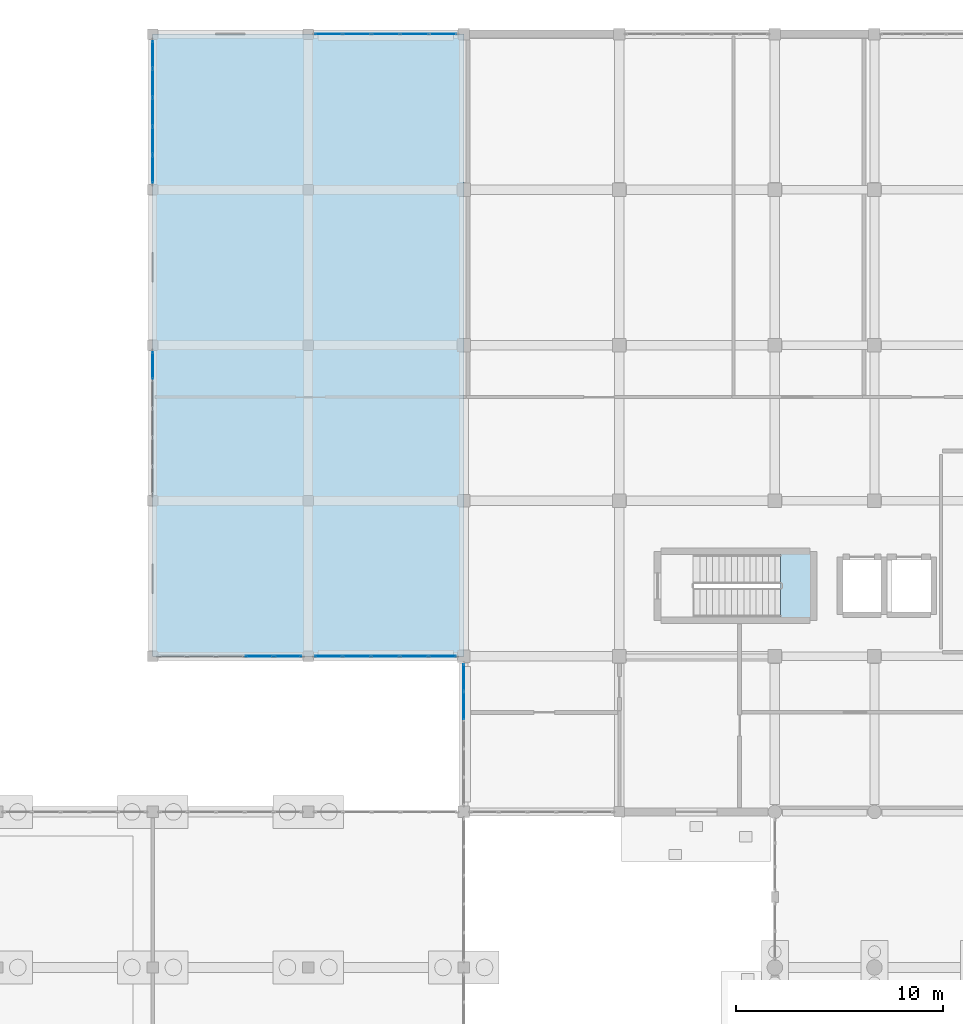
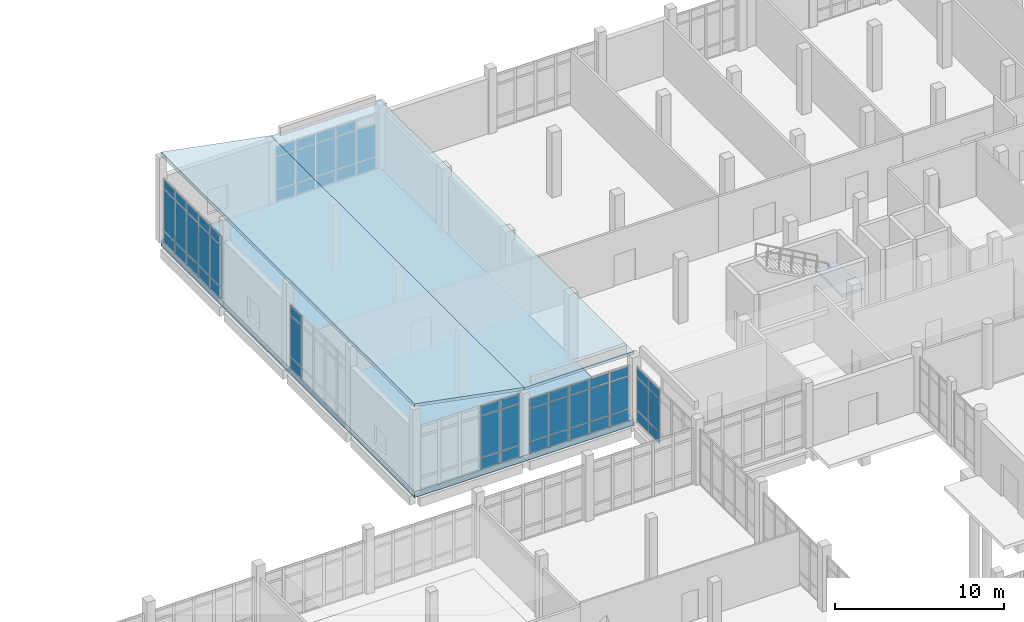
# One storey, part 136 of 173: 59 plates, 4 slabs, 7 elements without a shape of their own.
"""IFC4 building model written with IfcOpenShell, lengths in metres."""

import ifcopenshell
import ifcopenshell.guid

model = None  # the IFC model being written
_history = None  # IfcOwnerHistory: only IFC2X3 demands one
_inside = {}  # id of a spatial element -> (the spatial element, [elements in it])
_under = {}  # id of a project, library or spatial element -> (it, [spatial elements below it])
_declared = {}  # id of a project -> (the project, [libraries it declares])
_typed = {}  # id of a type object -> (the type object, [elements of that type])
_made_of = {}  # id of a material, layer set ... -> (it, [elements and type objects made of it])


def new_model(schema):
    """Start an empty IFC model of exactly this schema.

    Asked for "IFC4X3", IfcOpenShell would pick the latest addendum, in which some entities
    have other attributes; the version numbers below select the first issue.
    IFC2X3 requires an IfcOwnerHistory on every rooted entity: one is made here for all.
    """
    global model, _history
    if schema == "IFC4X3":
        model = ifcopenshell.file(schema_version=(4, 3, 0, 0))
    else:
        model = ifcopenshell.file(schema=schema)
    _inside.clear()
    _under.clear()
    _declared.clear()
    _typed.clear()
    _made_of.clear()
    _history = None
    if model.schema == "IFC2X3":
        org = make("IfcOrganization", Name="unknown")
        user = make(
            "IfcPersonAndOrganization",
            ThePerson=make("IfcPerson", FamilyName="unknown"),
            TheOrganization=org,
        )
        app = make(
            "IfcApplication",
            ApplicationDeveloper=org,
            Version="unknown",
            ApplicationFullName="unknown",
            ApplicationIdentifier="unknown",
        )
        _history = make(
            "IfcOwnerHistory",
            OwningUser=user,
            OwningApplication=app,
            ChangeAction="ADDED",
            CreationDate=0,
        )
    return model


def make(cls, **values):
    """One entity of the class cls with the attributes given. An attribute that is None is left unset."""
    return model.create_entity(
        cls, **{name: value for name, value in values.items() if value is not None}
    )


def rooted(cls, **values):
    """An entity with a GlobalId (a new one), such as an element, a storey or a relation."""
    return make(cls, GlobalId=ifcopenshell.guid.new(), OwnerHistory=_history, **values)


def si_unit(unit_type, name, prefix=None):
    """IfcSIUnit, for example si_unit("LENGTHUNIT", "METRE", prefix="MILLI")."""
    return make("IfcSIUnit", UnitType=unit_type, Prefix=prefix, Name=name)


def assignment(units):
    """IfcUnitAssignment: the units of a project."""
    return None if units is None else make("IfcUnitAssignment", Units=units)


def point(xyz):
    """IfcCartesianPoint."""
    return None if xyz is None else make("IfcCartesianPoint", Coordinates=xyz)


def direction(xyz):
    """IfcDirection."""
    return None if xyz is None else make("IfcDirection", DirectionRatios=xyz)


def frame(location, z_axis=None, x_axis=None):
    """IfcAxis2Placement3D, a coordinate frame: its origin and axes. An axis left out is left unset."""
    return make(
        "IfcAxis2Placement3D",
        Location=point(location),
        Axis=direction(z_axis),
        RefDirection=direction(x_axis),
    )


def frame_2d(location, x_axis=None):
    """IfcAxis2Placement2D, a coordinate frame in the plane: its origin and x axis."""
    return make(
        "IfcAxis2Placement2D", Location=point(location), RefDirection=direction(x_axis)
    )


def origin():
    """The frame at (0, 0, 0) with its axes left unset."""
    return frame((0.0, 0.0, 0.0))


def origin_2d():
    """The frame at (0, 0) in the plane with its x axis left unset."""
    return frame_2d((0.0, 0.0))


def place(relative_to, where):
    """IfcLocalPlacement: puts the frame where relative to a parent placement (None: the world)."""
    return make(
        "IfcLocalPlacement", PlacementRelTo=relative_to, RelativePlacement=where
    )


def context(
    kind, dimensions, precision=None, world=None, true_north=None, identifier=None
):
    """IfcGeometricRepresentationContext, for example the 3D "Model" context."""
    return make(
        "IfcGeometricRepresentationContext",
        ContextIdentifier=identifier,
        ContextType=kind,
        CoordinateSpaceDimension=dimensions,
        Precision=precision,
        WorldCoordinateSystem=world,
        TrueNorth=true_north,
    )


def subcontext(parent, identifier, kind, view, scale=None):
    """IfcGeometricRepresentationSubContext, for example "Body" below "Model"."""
    return make(
        "IfcGeometricRepresentationSubContext",
        ContextIdentifier=identifier,
        ContextType=kind,
        ParentContext=parent,
        TargetScale=scale,
        TargetView=view,
    )


def project(units=None, contexts=None):
    """IfcProject with its units and contexts."""
    return rooted(
        "IfcProject",
        Name="project",
        RepresentationContexts=contexts,
        UnitsInContext=assignment(units),
    )


def spatial(cls, under=None, at=None, **own):
    """A site, building, storey or space (cls), placed at a placement, below another one or the project."""
    s = rooted(cls, ObjectPlacement=at, **own)
    if under is not None:
        _under.setdefault(under.id(), (under, []))[1].append(s)
    return s


def polyline(points):
    """IfcPolyline through the points."""
    return make("IfcPolyline", Points=[point(p) for p in points])


def profile(cls, at=None, kind="AREA", **sizes):
    """A parametric profile (cls). Its sizes go by their IFC names, for example OverallWidth=200.0."""
    return make(cls, ProfileType=kind, Position=at, **sizes)


def rectangle(**sizes):
    """IfcRectangleProfileDef."""
    return profile("IfcRectangleProfileDef", **sizes)


def outline(outer, holes=None, kind="AREA"):
    """IfcArbitraryClosedProfileDef: a profile drawn as a closed curve; with holes, ...WithVoids."""
    if holes is None:
        return make("IfcArbitraryClosedProfileDef", ProfileType=kind, OuterCurve=outer)
    return make(
        "IfcArbitraryProfileDefWithVoids",
        ProfileType=kind,
        OuterCurve=outer,
        InnerCurves=holes,
    )


def extrude(swept, where, along, depth):
    """IfcExtrudedAreaSolid: the profile swept, set in the frame where, extruded along a direction by depth."""
    return make(
        "IfcExtrudedAreaSolid",
        SweptArea=swept,
        Position=where,
        ExtrudedDirection=direction(along),
        Depth=depth,
    )


def shape(context_of_items, identifier, shape_type, items):
    """IfcShapeRepresentation: the items that make up one representation, for example the "Body"."""
    return make(
        "IfcShapeRepresentation",
        ContextOfItems=context_of_items,
        RepresentationIdentifier=identifier,
        RepresentationType=shape_type,
        Items=items,
    )


def material(Name=None, Category=None):
    """IfcMaterial."""
    return make("IfcMaterial", Name=Name, Category=Category)


def layer(
    of_material, thickness, ventilated=None, Name=None, Category=None, Priority=None
):
    """IfcMaterialLayer: one layer of a wall or slab, of a material (None: an air gap)."""
    return make(
        "IfcMaterialLayer",
        Material=of_material,
        LayerThickness=thickness,
        IsVentilated=ventilated,
        Name=Name,
        Category=Category,
        Priority=Priority,
    )


def layer_set(layers, Name=None):
    """IfcMaterialLayerSet."""
    return make("IfcMaterialLayerSet", MaterialLayers=layers, LayerSetName=Name)


def made_of(thing, what):
    """Note that an element or type object is made of a material, layer set ...; save() writes the relation."""
    if what is not None:
        _made_of.setdefault(what.id(), (what, []))[1].append(thing)
    return thing


def type_object(cls, material=None, **own):
    """A type object (cls), such as IfcWallType, which elements share."""
    return made_of(rooted(cls, **own), material)


def element(
    cls,
    number,
    at=None,
    inside=None,
    cuts=None,
    type_object=None,
    material=None,
    context=None,
    identifier="Body",
    shape_type=None,
    held_by="IfcProductDefinitionShape",
    body=None,
    shapes=None,
    **own,
):
    """One element of the class cls, such as IfcWall. Its Tag is "e" and its number.

    at: its placement. inside: the storey or other place that contains it. cuts: it is an
    opening in that element (IfcRelVoidsElement). A single representation is given by context,
    identifier, shape_type and body (its items); several are given by shapes. held_by: the class
    of the entity that holds the representations. save() writes the other relations.
    """
    e = rooted(cls, Tag="e%d" % number, ObjectPlacement=at, **own)
    if body is not None:
        shapes = [shape(context, identifier, shape_type, body)]
    if shapes is not None:
        e.Representation = make(held_by, Representations=shapes)
    if inside is not None:
        _inside.setdefault(inside.id(), (inside, []))[1].append(e)
    if cuts is not None:
        rooted(
            "IfcRelVoidsElement", RelatingBuildingElement=cuts, RelatedOpeningElement=e
        )
    if type_object is not None:
        _typed.setdefault(type_object.id(), (type_object, []))[1].append(e)
    return made_of(e, material)


def aggregate(whole, parts):
    """IfcRelAggregates: a whole, such as a stair, and the parts it consists of."""
    return rooted("IfcRelAggregates", RelatingObject=whole, RelatedObjects=parts)


def save(model, path):
    """Write the relations noted so far, then the file.

    IfcRelAggregates (storeys below a building ...), IfcRelContainedInSpatialStructure (elements
    in a storey), IfcRelDefinesByType, IfcRelAssociatesMaterial and IfcRelDeclares: one each for
    every whole, place, type object, material and project.
    """
    for whole, parts in _under.values():
        aggregate(whole, parts)
    for where, things in _inside.values():
        rooted(
            "IfcRelContainedInSpatialStructure",
            RelatedElements=things,
            RelatingStructure=where,
        )
    for kind, things in _typed.values():
        rooted("IfcRelDefinesByType", RelatedObjects=things, RelatingType=kind)
    for what, things in _made_of.values():
        rooted("IfcRelAssociatesMaterial", RelatedObjects=things, RelatingMaterial=what)
    for by, libraries in _declared.values():
        rooted("IfcRelDeclares", RelatingContext=by, RelatedDefinitions=libraries)
    model.write(path)


model = new_model("IFC4")

# Units and contexts
model_context = context("Model", 3, precision=1e-05, world=origin(), true_north=direction((0.0, 1.0)))
body_context = subcontext(model_context, "Body", "Model", "MODEL_VIEW")
ifc_project = project(units=[si_unit("LENGTHUNIT", "METRE"), si_unit("AREAUNIT", "SQUARE_METRE"), si_unit("VOLUMEUNIT", "CUBIC_METRE"), si_unit("PLANEANGLEUNIT", "RADIAN"), si_unit("MASSUNIT", "GRAM", prefix="KILO")], contexts=[model_context])

# Site, building, storey
site_placement = place(None, origin())
site = spatial("IfcSite", under=ifc_project, at=site_placement, CompositionType="ELEMENT")
building_placement = place(site_placement, origin())
building = spatial("IfcBuilding", under=site, at=building_placement, Name="Mawjan Specialist Oncology Clinic", CompositionType="ELEMENT")
storey_placement = place(building_placement, origin())
storey = spatial("IfcBuildingStorey", under=building, at=storey_placement, Name="L00", CompositionType="ELEMENT", Elevation=0.0)

# Curtain wall, plates
ifc_material_1 = material(Name="Unitised spectrally selective aluminium curtain wall", Category="aluminium")
ifc_layer_1 = layer(ifc_material_1, 0.179931640625, Name="Unitised spectrally selective aluminium curtain wall", Category="aluminium")
ifc_layer_set_1 = layer_set([ifc_layer_1], Name="Unitised spectrally selective aluminium curtain wall")
curtain_wall_type_1 = type_object("IfcCurtainWallType", Name="CW-10", PredefinedType="NOTDEFINED", material=ifc_layer_set_1)
curtain_wall_1_placement = place(storey_placement, origin())
curtain_wall_1 = element("IfcCurtainWall", 1, at=curtain_wall_1_placement, inside=storey, type_object=curtain_wall_type_1, Name="L00 Unitised Curtain Wall CW-L00-015", PredefinedType="NOTDEFINED")
ifc_material_2 = material(Name="Spectrally selective double low-E glazing", Category="glass")
ifc_layer_2 = layer(ifc_material_2, 0.035888671875, Name="Spectrally selective double low-E glazing", Category="glass")
ifc_layer_set_2 = layer_set([ifc_layer_2], Name="Spectrally selective double low-E glazing")
plate_type = type_object("IfcPlateType", Name="CW-P36", PredefinedType="CURTAIN_PANEL", material=ifc_layer_set_2)
plate_1_placement = place(storey_placement, frame((45.0, 80.91455078125, 0.06494140625), z_axis=(0.0, 0.0, 1.0), x_axis=(0.0, 1.0, 0.0)))
plate_1 = element("IfcPlate", 2, at=plate_1_placement, type_object=plate_type, Name="CW-10 panel 4.1", PredefinedType="CURTAIN_PANEL", context=body_context, shape_type="SweptSolid", body=[
    extrude(rectangle(XDim=1.31201171875, YDim=0.035888671875, at=origin_2d()), origin(), (0.0, 0.0, 1.0), 0.802490234375),
])
plate_2_placement = place(storey_placement, frame((45.0, 80.91455078125, 0.9326171875), z_axis=(0.0, 0.0, 1.0), x_axis=(0.0, 1.0, 0.0)))
plate_2 = element("IfcPlate", 3, at=plate_2_placement, type_object=plate_type, Name="CW-10 panel 4.2", PredefinedType="CURTAIN_PANEL", context=body_context, shape_type="SweptSolid", body=[
    extrude(rectangle(XDim=1.31201171875, YDim=0.035888671875, at=origin_2d()), origin(), (0.0, 0.0, 1.0), 2.320068359375),
])
plate_3_placement = place(storey_placement, frame((45.0, 80.91455078125, 3.3173828125), z_axis=(0.0, 0.0, 1.0), x_axis=(0.0, 1.0, 0.0)))
plate_3 = element("IfcPlate", 4, at=plate_3_placement, type_object=plate_type, Name="CW-10 panel 4.3", PredefinedType="CURTAIN_PANEL", context=body_context, shape_type="SweptSolid", body=[
    extrude(rectangle(XDim=1.31201171875, YDim=0.035888671875, at=origin_2d()), origin(), (0.0, 0.0, 1.0), 0.652587890625),
])
plate_4_placement = place(storey_placement, frame((45.0, 82.275146484375, 0.06494140625), z_axis=(0.0, 0.0, 1.0), x_axis=(0.0, 1.0, 0.0)))
plate_4 = element("IfcPlate", 5, at=plate_4_placement, type_object=plate_type, Name="CW-10 panel 5.1", PredefinedType="CURTAIN_PANEL", context=body_context, shape_type="SweptSolid", body=[
    extrude(rectangle(XDim=1.279541015625, YDim=0.035888671875, at=origin_2d()), origin(), (0.0, 0.0, 1.0), 0.802490234375),
])
plate_5_placement = place(storey_placement, frame((45.0, 82.275146484375, 0.9326171875), z_axis=(0.0, 0.0, 1.0), x_axis=(0.0, 1.0, 0.0)))
plate_5 = element("IfcPlate", 6, at=plate_5_placement, type_object=plate_type, Name="CW-10 panel 5.2", PredefinedType="CURTAIN_PANEL", context=body_context, shape_type="SweptSolid", body=[
    extrude(rectangle(XDim=1.279541015625, YDim=0.035888671875, at=origin_2d()), origin(), (0.0, 0.0, 1.0), 2.320068359375),
])
plate_6_placement = place(storey_placement, frame((45.0, 82.275146484375, 3.3173828125), z_axis=(0.0, 0.0, 1.0), x_axis=(0.0, 1.0, 0.0)))
plate_6 = element("IfcPlate", 7, at=plate_6_placement, type_object=plate_type, Name="CW-10 panel 5.3", PredefinedType="CURTAIN_PANEL", context=body_context, shape_type="SweptSolid", body=[
    extrude(rectangle(XDim=1.279541015625, YDim=0.035888671875, at=origin_2d()), origin(), (0.0, 0.0, 1.0), 0.652587890625),
])
aggregate(curtain_wall_1, [plate_1, plate_2, plate_3, plate_4, plate_5, plate_6])

ifc_material_3 = material(Name="Unitised spectrally selective aluminium curtain wall", Category="aluminium")
ifc_layer_3 = layer(ifc_material_3, 0.179931640625, Name="Unitised spectrally selective aluminium curtain wall", Category="aluminium")
ifc_layer_set_3 = layer_set([ifc_layer_3], Name="Unitised spectrally selective aluminium curtain wall")
curtain_wall_type_2 = type_object("IfcCurtainWallType", Name="CW-09", PredefinedType="NOTDEFINED", material=ifc_layer_set_3)
curtain_wall_2_placement = place(storey_placement, origin())
curtain_wall_2 = element("IfcCurtainWall", 8, at=curtain_wall_2_placement, inside=storey, type_object=curtain_wall_type_2, Name="L00 Unitised Curtain Wall CW-L00-016", PredefinedType="NOTDEFINED")
plate_7_placement = place(storey_placement, frame((43.97265625, 83.300048828125, 0.06494140625), z_axis=(0.0, 0.0, 1.0), x_axis=(-1.0, 0.0, 0.0)))
plate_7 = element("IfcPlate", 9, at=plate_7_placement, type_object=plate_type, Name="CW-09 panel 1.1", PredefinedType="CURTAIN_PANEL", context=body_context, shape_type="SweptSolid", body=[
    extrude(rectangle(XDim=1.284423828125, YDim=0.035888671875, at=origin_2d()), origin(), (0.0, 0.0, 1.0), 0.802490234375),
])
plate_8_placement = place(storey_placement, frame((43.97265625, 83.300048828125, 0.9326171875), z_axis=(0.0, 0.0, 1.0), x_axis=(-1.0, 0.0, 0.0)))
plate_8 = element("IfcPlate", 10, at=plate_8_placement, type_object=plate_type, Name="CW-09 panel 1.2", PredefinedType="CURTAIN_PANEL", context=body_context, shape_type="SweptSolid", body=[
    extrude(rectangle(XDim=1.284423828125, YDim=0.035888671875, at=origin_2d()), origin(), (0.0, 0.0, 1.0), 2.320068359375),
])
plate_9_placement = place(storey_placement, frame((43.97265625, 83.300048828125, 3.3173828125), z_axis=(0.0, 0.0, 1.0), x_axis=(-1.0, 0.0, 0.0)))
plate_9 = element("IfcPlate", 11, at=plate_9_placement, type_object=plate_type, Name="CW-09 panel 1.3", PredefinedType="CURTAIN_PANEL", context=body_context, shape_type="SweptSolid", body=[
    extrude(rectangle(XDim=1.284423828125, YDim=0.035888671875, at=origin_2d()), origin(), (0.0, 0.0, 1.0), 0.652587890625),
])
plate_10_placement = place(storey_placement, frame((42.60693359375, 83.300048828125, 0.06494140625), z_axis=(0.0, 0.0, 1.0), x_axis=(-1.0, 0.0, 0.0)))
plate_10 = element("IfcPlate", 12, at=plate_10_placement, type_object=plate_type, Name="CW-09 panel 2.1", PredefinedType="CURTAIN_PANEL", context=body_context, shape_type="SweptSolid", body=[
    extrude(rectangle(XDim=1.31689453125, YDim=0.035888671875, at=origin_2d()), origin(), (0.0, 0.0, 1.0), 0.802490234375),
])
plate_11_placement = place(storey_placement, frame((42.60693359375, 83.300048828125, 0.9326171875), z_axis=(0.0, 0.0, 1.0), x_axis=(-1.0, 0.0, 0.0)))
plate_11 = element("IfcPlate", 13, at=plate_11_placement, type_object=plate_type, Name="CW-09 panel 2.2", PredefinedType="CURTAIN_PANEL", context=body_context, shape_type="SweptSolid", body=[
    extrude(rectangle(XDim=1.31689453125, YDim=0.035888671875, at=origin_2d()), origin(), (0.0, 0.0, 1.0), 2.320068359375),
])
plate_12_placement = place(storey_placement, frame((42.60693359375, 83.300048828125, 3.3173828125), z_axis=(0.0, 0.0, 1.0), x_axis=(-1.0, 0.0, 0.0)))
plate_12 = element("IfcPlate", 14, at=plate_12_placement, type_object=plate_type, Name="CW-09 panel 2.3", PredefinedType="CURTAIN_PANEL", context=body_context, shape_type="SweptSolid", body=[
    extrude(rectangle(XDim=1.31689453125, YDim=0.035888671875, at=origin_2d()), origin(), (0.0, 0.0, 1.0), 0.652587890625),
])
plate_13_placement = place(storey_placement, frame((41.22509765625, 83.300048828125, 0.06494140625), z_axis=(0.0, 0.0, 1.0), x_axis=(-1.0, 0.0, 0.0)))
plate_13 = element("IfcPlate", 15, at=plate_13_placement, type_object=plate_type, Name="CW-09 panel 3.1", PredefinedType="CURTAIN_PANEL", context=body_context, shape_type="SweptSolid", body=[
    extrude(rectangle(XDim=1.31689453125, YDim=0.035888671875, at=origin_2d()), origin(), (0.0, 0.0, 1.0), 0.802490234375),
])
plate_14_placement = place(storey_placement, frame((41.22509765625, 83.300048828125, 0.9326171875), z_axis=(0.0, 0.0, 1.0), x_axis=(-1.0, 0.0, 0.0)))
plate_14 = element("IfcPlate", 16, at=plate_14_placement, type_object=plate_type, Name="CW-09 panel 3.2", PredefinedType="CURTAIN_PANEL", context=body_context, shape_type="SweptSolid", body=[
    extrude(rectangle(XDim=1.31689453125, YDim=0.035888671875, at=origin_2d()), origin(), (0.0, 0.0, 1.0), 2.320068359375),
])
plate_15_placement = place(storey_placement, frame((41.22509765625, 83.300048828125, 3.3173828125), z_axis=(0.0, 0.0, 1.0), x_axis=(-1.0, 0.0, 0.0)))
plate_15 = element("IfcPlate", 17, at=plate_15_placement, type_object=plate_type, Name="CW-09 panel 3.3", PredefinedType="CURTAIN_PANEL", context=body_context, shape_type="SweptSolid", body=[
    extrude(rectangle(XDim=1.31689453125, YDim=0.035888671875, at=origin_2d()), origin(), (0.0, 0.0, 1.0), 0.652587890625),
])
plate_16_placement = place(storey_placement, frame((39.843017578125, 83.300048828125, 0.06494140625), z_axis=(0.0, 0.0, 1.0), x_axis=(-1.0, 0.0, 0.0)))
plate_16 = element("IfcPlate", 18, at=plate_16_placement, type_object=plate_type, Name="CW-09 panel 4.1", PredefinedType="CURTAIN_PANEL", context=body_context, shape_type="SweptSolid", body=[
    extrude(rectangle(XDim=1.31689453125, YDim=0.035888671875, at=origin_2d()), origin(), (0.0, 0.0, 1.0), 0.802490234375),
])
plate_17_placement = place(storey_placement, frame((39.843017578125, 83.300048828125, 0.9326171875), z_axis=(0.0, 0.0, 1.0), x_axis=(-1.0, 0.0, 0.0)))
plate_17 = element("IfcPlate", 19, at=plate_17_placement, type_object=plate_type, Name="CW-09 panel 4.2", PredefinedType="CURTAIN_PANEL", context=body_context, shape_type="SweptSolid", body=[
    extrude(rectangle(XDim=1.31689453125, YDim=0.035888671875, at=origin_2d()), origin(), (0.0, 0.0, 1.0), 2.320068359375),
])
plate_18_placement = place(storey_placement, frame((39.843017578125, 83.300048828125, 3.3173828125), z_axis=(0.0, 0.0, 1.0), x_axis=(-1.0, 0.0, 0.0)))
plate_18 = element("IfcPlate", 20, at=plate_18_placement, type_object=plate_type, Name="CW-09 panel 4.3", PredefinedType="CURTAIN_PANEL", context=body_context, shape_type="SweptSolid", body=[
    extrude(rectangle(XDim=1.31689453125, YDim=0.035888671875, at=origin_2d()), origin(), (0.0, 0.0, 1.0), 0.652587890625),
])
plate_19_placement = place(storey_placement, frame((38.477294921875, 83.300048828125, 0.06494140625), z_axis=(0.0, 0.0, 1.0), x_axis=(-1.0, 0.0, 0.0)))
plate_19 = element("IfcPlate", 21, at=plate_19_placement, type_object=plate_type, Name="CW-09 panel 5.1", PredefinedType="CURTAIN_PANEL", context=body_context, shape_type="SweptSolid", body=[
    extrude(rectangle(XDim=1.284423828125, YDim=0.035888671875, at=origin_2d()), origin(), (0.0, 0.0, 1.0), 0.802490234375),
])
plate_20_placement = place(storey_placement, frame((38.477294921875, 83.300048828125, 0.9326171875), z_axis=(0.0, 0.0, 1.0), x_axis=(-1.0, 0.0, 0.0)))
plate_20 = element("IfcPlate", 22, at=plate_20_placement, type_object=plate_type, Name="CW-09 panel 5.2", PredefinedType="CURTAIN_PANEL", context=body_context, shape_type="SweptSolid", body=[
    extrude(rectangle(XDim=1.284423828125, YDim=0.035888671875, at=origin_2d()), origin(), (0.0, 0.0, 1.0), 2.320068359375),
])
plate_21_placement = place(storey_placement, frame((38.477294921875, 83.300048828125, 3.3173828125), z_axis=(0.0, 0.0, 1.0), x_axis=(-1.0, 0.0, 0.0)))
plate_21 = element("IfcPlate", 23, at=plate_21_placement, type_object=plate_type, Name="CW-09 panel 5.3", PredefinedType="CURTAIN_PANEL", context=body_context, shape_type="SweptSolid", body=[
    extrude(rectangle(XDim=1.284423828125, YDim=0.035888671875, at=origin_2d()), origin(), (0.0, 0.0, 1.0), 0.652587890625),
])
aggregate(curtain_wall_2, [plate_7, plate_8, plate_9, plate_10, plate_11, plate_12, plate_13, plate_14, plate_15, plate_16, plate_17, plate_18, plate_19, plate_20, plate_21])

ifc_material_4 = material(Name="Unitised spectrally selective aluminium curtain wall", Category="aluminium")
ifc_layer_4 = layer(ifc_material_4, 0.179931640625, Name="Unitised spectrally selective aluminium curtain wall", Category="aluminium")
ifc_layer_set_4 = layer_set([ifc_layer_4], Name="Unitised spectrally selective aluminium curtain wall")
curtain_wall_type_3 = type_object("IfcCurtainWallType", Name="CW-11", PredefinedType="NOTDEFINED", material=ifc_layer_set_4)
curtain_wall_3_placement = place(storey_placement, origin())
curtain_wall_3 = element("IfcCurtainWall", 24, at=curtain_wall_3_placement, inside=storey, type_object=curtain_wall_type_3, Name="L00 Unitised Curtain Wall CW-L00-017", PredefinedType="NOTDEFINED")
plate_22_placement = place(storey_placement, frame((36.5166015625, 83.300048828125, 0.070068359375), z_axis=(0.0, 0.0, 1.0), x_axis=(-1.0, 0.0, 0.0)))
plate_22 = element("IfcPlate", 25, at=plate_22_placement, type_object=plate_type, Name="CW-11 panel 1.1", PredefinedType="CURTAIN_PANEL", context=body_context, shape_type="SweptSolid", body=[
    extrude(rectangle(XDim=1.287109375, YDim=0.035888671875, at=origin_2d()), origin(), (0.0, 0.0, 1.0), 0.794921875),
])
plate_23_placement = place(storey_placement, frame((36.5166015625, 83.300048828125, 0.93505859375), z_axis=(0.0, 0.0, 1.0), x_axis=(-1.0, 0.0, 0.0)))
plate_23 = element("IfcPlate", 26, at=plate_23_placement, type_object=plate_type, Name="CW-11 panel 1.2", PredefinedType="CURTAIN_PANEL", context=body_context, shape_type="SweptSolid", body=[
    extrude(rectangle(XDim=1.287109375, YDim=0.035888671875, at=origin_2d()), origin(), (0.0, 0.0, 1.0), 2.949951171875),
])
plate_24_placement = place(storey_placement, frame((36.5166015625, 83.300048828125, 3.955078125), z_axis=(0.0, 0.0, 1.0), x_axis=(-1.0, 0.0, 0.0)))
plate_24 = element("IfcPlate", 27, at=plate_24_placement, type_object=plate_type, Name="CW-11 panel 1.3", PredefinedType="CURTAIN_PANEL", context=body_context, shape_type="SweptSolid", body=[
    extrude(rectangle(XDim=1.287109375, YDim=0.035888671875, at=origin_2d()), origin(), (0.0, 0.0, 1.0), 0.64501953125),
])
plate_25_placement = place(storey_placement, frame((35.14208984375, 83.300048828125, 0.070068359375), z_axis=(0.0, 0.0, 1.0), x_axis=(-1.0, 0.0, 0.0)))
plate_25 = element("IfcPlate", 28, at=plate_25_placement, type_object=plate_type, Name="CW-11 panel 2.1", PredefinedType="CURTAIN_PANEL", context=body_context, shape_type="SweptSolid", body=[
    extrude(rectangle(XDim=1.322021484375, YDim=0.035888671875, at=origin_2d()), origin(), (0.0, 0.0, 1.0), 0.794921875),
])
plate_26_placement = place(storey_placement, frame((35.14208984375, 83.300048828125, 0.93505859375), z_axis=(0.0, 0.0, 1.0), x_axis=(-1.0, 0.0, 0.0)))
plate_26 = element("IfcPlate", 29, at=plate_26_placement, type_object=plate_type, Name="CW-11 panel 2.2", PredefinedType="CURTAIN_PANEL", context=body_context, shape_type="SweptSolid", body=[
    extrude(rectangle(XDim=1.322021484375, YDim=0.035888671875, at=origin_2d()), origin(), (0.0, 0.0, 1.0), 2.949951171875),
])
plate_27_placement = place(storey_placement, frame((35.14208984375, 83.300048828125, 3.955078125), z_axis=(0.0, 0.0, 1.0), x_axis=(-1.0, 0.0, 0.0)))
plate_27 = element("IfcPlate", 30, at=plate_27_placement, type_object=plate_type, Name="CW-11 panel 2.3", PredefinedType="CURTAIN_PANEL", context=body_context, shape_type="SweptSolid", body=[
    extrude(rectangle(XDim=1.322021484375, YDim=0.035888671875, at=origin_2d()), origin(), (0.0, 0.0, 1.0), 0.64501953125),
])
aggregate(curtain_wall_3, [plate_22, plate_23, plate_24, plate_25, plate_26, plate_27])

curtain_wall_4_placement = place(storey_placement, origin())
curtain_wall_4 = element("IfcCurtainWall", 31, at=curtain_wall_4_placement, inside=storey, type_object=curtain_wall_type_3, Name="L00 Unitised Curtain Wall CW-L00-018", PredefinedType="NOTDEFINED")
plate_28_placement = place(storey_placement, frame((30.0, 97.31640625, 0.070068359375), z_axis=(0.0, 0.0, 1.0), x_axis=(0.0, 1.0, 0.0)))
plate_28 = element("IfcPlate", 32, at=plate_28_placement, type_object=plate_type, Name="CW-11 panel 5.1", PredefinedType="CURTAIN_PANEL", context=body_context, shape_type="SweptSolid", body=[
    extrude(rectangle(XDim=1.287109375, YDim=0.035888671875, at=origin_2d()), origin(), (0.0, 0.0, 1.0), 0.794921875),
])
plate_29_placement = place(storey_placement, frame((30.0, 97.31640625, 0.93505859375), z_axis=(0.0, 0.0, 1.0), x_axis=(0.0, 1.0, 0.0)))
plate_29 = element("IfcPlate", 33, at=plate_29_placement, type_object=plate_type, Name="CW-11 panel 5.2", PredefinedType="CURTAIN_PANEL", context=body_context, shape_type="SweptSolid", body=[
    extrude(rectangle(XDim=1.287109375, YDim=0.035888671875, at=origin_2d()), origin(), (0.0, 0.0, 1.0), 2.949951171875),
])
plate_30_placement = place(storey_placement, frame((30.0, 97.31640625, 3.955078125), z_axis=(0.0, 0.0, 1.0), x_axis=(0.0, 1.0, 0.0)))
plate_30 = element("IfcPlate", 34, at=plate_30_placement, type_object=plate_type, Name="CW-11 panel 5.3", PredefinedType="CURTAIN_PANEL", context=body_context, shape_type="SweptSolid", body=[
    extrude(rectangle(XDim=1.287109375, YDim=0.035888671875, at=origin_2d()), origin(), (0.0, 0.0, 1.0), 0.64501953125),
])
aggregate(curtain_wall_4, [plate_28, plate_29, plate_30])

curtain_wall_5_placement = place(storey_placement, origin())
curtain_wall_5 = element("IfcCurtainWall", 35, at=curtain_wall_5_placement, inside=storey, type_object=curtain_wall_type_3, Name="L00 Unitised Curtain Wall CW-L00-019", PredefinedType="NOTDEFINED")
plate_31_placement = place(storey_placement, frame((30.0, 106.783447265625, 0.070068359375), z_axis=(0.0, 0.0, 1.0), x_axis=(0.0, 1.0, 0.0)))
plate_31 = element("IfcPlate", 36, at=plate_31_placement, type_object=plate_type, Name="CW-11 panel 1.1", PredefinedType="CURTAIN_PANEL", context=body_context, shape_type="SweptSolid", body=[
    extrude(rectangle(XDim=1.287109375, YDim=0.035888671875, at=origin_2d()), origin(), (0.0, 0.0, 1.0), 0.794921875),
])
plate_32_placement = place(storey_placement, frame((30.0, 106.783447265625, 0.93505859375), z_axis=(0.0, 0.0, 1.0), x_axis=(0.0, 1.0, 0.0)))
plate_32 = element("IfcPlate", 37, at=plate_32_placement, type_object=plate_type, Name="CW-11 panel 1.2", PredefinedType="CURTAIN_PANEL", context=body_context, shape_type="SweptSolid", body=[
    extrude(rectangle(XDim=1.287109375, YDim=0.035888671875, at=origin_2d()), origin(), (0.0, 0.0, 1.0), 2.949951171875),
])
plate_33_placement = place(storey_placement, frame((30.0, 106.783447265625, 3.955078125), z_axis=(0.0, 0.0, 1.0), x_axis=(0.0, 1.0, 0.0)))
plate_33 = element("IfcPlate", 38, at=plate_33_placement, type_object=plate_type, Name="CW-11 panel 1.3", PredefinedType="CURTAIN_PANEL", context=body_context, shape_type="SweptSolid", body=[
    extrude(rectangle(XDim=1.287109375, YDim=0.035888671875, at=origin_2d()), origin(), (0.0, 0.0, 1.0), 0.64501953125),
])
plate_34_placement = place(storey_placement, frame((30.0, 108.157958984375, 0.070068359375), z_axis=(0.0, 0.0, 1.0), x_axis=(0.0, 1.0, 0.0)))
plate_34 = element("IfcPlate", 39, at=plate_34_placement, type_object=plate_type, Name="CW-11 panel 2.1", PredefinedType="CURTAIN_PANEL", context=body_context, shape_type="SweptSolid", body=[
    extrude(rectangle(XDim=1.322021484375, YDim=0.035888671875, at=origin_2d()), origin(), (0.0, 0.0, 1.0), 0.794921875),
])
plate_35_placement = place(storey_placement, frame((30.0, 108.157958984375, 0.93505859375), z_axis=(0.0, 0.0, 1.0), x_axis=(0.0, 1.0, 0.0)))
plate_35 = element("IfcPlate", 40, at=plate_35_placement, type_object=plate_type, Name="CW-11 panel 2.2", PredefinedType="CURTAIN_PANEL", context=body_context, shape_type="SweptSolid", body=[
    extrude(rectangle(XDim=1.322021484375, YDim=0.035888671875, at=origin_2d()), origin(), (0.0, 0.0, 1.0), 2.949951171875),
])
plate_36_placement = place(storey_placement, frame((30.0, 108.157958984375, 3.955078125), z_axis=(0.0, 0.0, 1.0), x_axis=(0.0, 1.0, 0.0)))
plate_36 = element("IfcPlate", 41, at=plate_36_placement, type_object=plate_type, Name="CW-11 panel 2.3", PredefinedType="CURTAIN_PANEL", context=body_context, shape_type="SweptSolid", body=[
    extrude(rectangle(XDim=1.322021484375, YDim=0.035888671875, at=origin_2d()), origin(), (0.0, 0.0, 1.0), 0.64501953125),
])
plate_37_placement = place(storey_placement, frame((30.0, 109.550048828125, 0.070068359375), z_axis=(0.0, 0.0, 1.0), x_axis=(0.0, 1.0, 0.0)))
plate_37 = element("IfcPlate", 42, at=plate_37_placement, type_object=plate_type, Name="CW-11 panel 3.1", PredefinedType="CURTAIN_PANEL", context=body_context, shape_type="SweptSolid", body=[
    extrude(rectangle(XDim=1.322021484375, YDim=0.035888671875, at=origin_2d()), origin(), (0.0, 0.0, 1.0), 0.794921875),
])
plate_38_placement = place(storey_placement, frame((30.0, 109.550048828125, 0.93505859375), z_axis=(0.0, 0.0, 1.0), x_axis=(0.0, 1.0, 0.0)))
plate_38 = element("IfcPlate", 43, at=plate_38_placement, type_object=plate_type, Name="CW-11 panel 3.2", PredefinedType="CURTAIN_PANEL", context=body_context, shape_type="SweptSolid", body=[
    extrude(rectangle(XDim=1.322021484375, YDim=0.035888671875, at=origin_2d()), origin(), (0.0, 0.0, 1.0), 2.949951171875),
])
plate_39_placement = place(storey_placement, frame((30.0, 109.550048828125, 3.955078125), z_axis=(0.0, 0.0, 1.0), x_axis=(0.0, 1.0, 0.0)))
plate_39 = element("IfcPlate", 44, at=plate_39_placement, type_object=plate_type, Name="CW-11 panel 3.3", PredefinedType="CURTAIN_PANEL", context=body_context, shape_type="SweptSolid", body=[
    extrude(rectangle(XDim=1.322021484375, YDim=0.035888671875, at=origin_2d()), origin(), (0.0, 0.0, 1.0), 0.64501953125),
])
plate_40_placement = place(storey_placement, frame((30.0, 110.94189453125, 0.070068359375), z_axis=(0.0, 0.0, 1.0), x_axis=(0.0, 1.0, 0.0)))
plate_40 = element("IfcPlate", 45, at=plate_40_placement, type_object=plate_type, Name="CW-11 panel 4.1", PredefinedType="CURTAIN_PANEL", context=body_context, shape_type="SweptSolid", body=[
    extrude(rectangle(XDim=1.322021484375, YDim=0.035888671875, at=origin_2d()), origin(), (0.0, 0.0, 1.0), 0.794921875),
])
plate_41_placement = place(storey_placement, frame((30.0, 110.94189453125, 0.93505859375), z_axis=(0.0, 0.0, 1.0), x_axis=(0.0, 1.0, 0.0)))
plate_41 = element("IfcPlate", 46, at=plate_41_placement, type_object=plate_type, Name="CW-11 panel 4.2", PredefinedType="CURTAIN_PANEL", context=body_context, shape_type="SweptSolid", body=[
    extrude(rectangle(XDim=1.322021484375, YDim=0.035888671875, at=origin_2d()), origin(), (0.0, 0.0, 1.0), 2.949951171875),
])
plate_42_placement = place(storey_placement, frame((30.0, 110.94189453125, 3.955078125), z_axis=(0.0, 0.0, 1.0), x_axis=(0.0, 1.0, 0.0)))
plate_42 = element("IfcPlate", 47, at=plate_42_placement, type_object=plate_type, Name="CW-11 panel 4.3", PredefinedType="CURTAIN_PANEL", context=body_context, shape_type="SweptSolid", body=[
    extrude(rectangle(XDim=1.322021484375, YDim=0.035888671875, at=origin_2d()), origin(), (0.0, 0.0, 1.0), 0.64501953125),
])
plate_43_placement = place(storey_placement, frame((30.0, 112.31640625, 0.070068359375), z_axis=(0.0, 0.0, 1.0), x_axis=(0.0, 1.0, 0.0)))
plate_43 = element("IfcPlate", 48, at=plate_43_placement, type_object=plate_type, Name="CW-11 panel 5.1", PredefinedType="CURTAIN_PANEL", context=body_context, shape_type="SweptSolid", body=[
    extrude(rectangle(XDim=1.287109375, YDim=0.035888671875, at=origin_2d()), origin(), (0.0, 0.0, 1.0), 0.794921875),
])
plate_44_placement = place(storey_placement, frame((30.0, 112.31640625, 0.93505859375), z_axis=(0.0, 0.0, 1.0), x_axis=(0.0, 1.0, 0.0)))
plate_44 = element("IfcPlate", 49, at=plate_44_placement, type_object=plate_type, Name="CW-11 panel 5.2", PredefinedType="CURTAIN_PANEL", context=body_context, shape_type="SweptSolid", body=[
    extrude(rectangle(XDim=1.287109375, YDim=0.035888671875, at=origin_2d()), origin(), (0.0, 0.0, 1.0), 2.949951171875),
])
plate_45_placement = place(storey_placement, frame((30.0, 112.31640625, 3.955078125), z_axis=(0.0, 0.0, 1.0), x_axis=(0.0, 1.0, 0.0)))
plate_45 = element("IfcPlate", 50, at=plate_45_placement, type_object=plate_type, Name="CW-11 panel 5.3", PredefinedType="CURTAIN_PANEL", context=body_context, shape_type="SweptSolid", body=[
    extrude(rectangle(XDim=1.287109375, YDim=0.035888671875, at=origin_2d()), origin(), (0.0, 0.0, 1.0), 0.64501953125),
])
aggregate(curtain_wall_5, [plate_31, plate_32, plate_33, plate_34, plate_35, plate_36, plate_37, plate_38, plate_39, plate_40, plate_41, plate_42, plate_43, plate_44, plate_45])

ifc_material_5 = material(Name="Unitised spectrally selective aluminium curtain wall", Category="aluminium")
ifc_layer_5 = layer(ifc_material_5, 0.179931640625, Name="Unitised spectrally selective aluminium curtain wall", Category="aluminium")
ifc_layer_set_5 = layer_set([ifc_layer_5], Name="Unitised spectrally selective aluminium curtain wall")
curtain_wall_type_4 = type_object("IfcCurtainWallType", Name="CW-12", PredefinedType="NOTDEFINED", material=ifc_layer_set_5)
curtain_wall_6_placement = place(storey_placement, origin())
curtain_wall_6 = element("IfcCurtainWall", 51, at=curtain_wall_6_placement, inside=storey, type_object=curtain_wall_type_4, Name="L00 Unitised Curtain Wall CW-L00-020", PredefinedType="NOTDEFINED")
plate_46_placement = place(storey_placement, frame((38.479736328125, 113.300048828125, 0.06494140625), z_axis=(0.0, 0.0, 1.0), x_axis=(1.0, 0.0, 0.0)))
plate_46 = element("IfcPlate", 52, at=plate_46_placement, type_object=plate_type, Name="CW-12 panel 1.1", PredefinedType="CURTAIN_PANEL", context=body_context, shape_type="SweptSolid", body=[
    extrude(rectangle(XDim=1.28955078125, YDim=0.035888671875, at=origin_2d()), origin(), (0.0, 0.0, 1.0), 0.802490234375),
])
plate_47_placement = place(storey_placement, frame((38.479736328125, 113.300048828125, 0.9326171875), z_axis=(0.0, 0.0, 1.0), x_axis=(1.0, 0.0, 0.0)))
plate_47 = element("IfcPlate", 53, at=plate_47_placement, type_object=plate_type, Name="CW-12 panel 1.2", PredefinedType="CURTAIN_PANEL", context=body_context, shape_type="SweptSolid", body=[
    extrude(rectangle(XDim=1.28955078125, YDim=0.035888671875, at=origin_2d()), origin(), (0.0, 0.0, 1.0), 2.320068359375),
])
plate_48_placement = place(storey_placement, frame((38.479736328125, 113.300048828125, 3.3173828125), z_axis=(0.0, 0.0, 1.0), x_axis=(1.0, 0.0, 0.0)))
plate_48 = element("IfcPlate", 54, at=plate_48_placement, type_object=plate_type, Name="CW-12 panel 1.3", PredefinedType="CURTAIN_PANEL", context=body_context, shape_type="SweptSolid", body=[
    extrude(rectangle(XDim=1.28955078125, YDim=0.035888671875, at=origin_2d()), origin(), (0.0, 0.0, 1.0), 0.652587890625),
])
plate_49_placement = place(storey_placement, frame((39.8505859375, 113.300048828125, 0.06494140625), z_axis=(0.0, 0.0, 1.0), x_axis=(1.0, 0.0, 0.0)))
plate_49 = element("IfcPlate", 55, at=plate_49_placement, type_object=plate_type, Name="CW-12 panel 2.1", PredefinedType="CURTAIN_PANEL", context=body_context, shape_type="SweptSolid", body=[
    extrude(rectangle(XDim=1.322021484375, YDim=0.035888671875, at=origin_2d()), origin(), (0.0, 0.0, 1.0), 0.802490234375),
])
plate_50_placement = place(storey_placement, frame((39.8505859375, 113.300048828125, 0.9326171875), z_axis=(0.0, 0.0, 1.0), x_axis=(1.0, 0.0, 0.0)))
plate_50 = element("IfcPlate", 56, at=plate_50_placement, type_object=plate_type, Name="CW-12 panel 2.2", PredefinedType="CURTAIN_PANEL", context=body_context, shape_type="SweptSolid", body=[
    extrude(rectangle(XDim=1.322021484375, YDim=0.035888671875, at=origin_2d()), origin(), (0.0, 0.0, 1.0), 2.320068359375),
])
plate_51_placement = place(storey_placement, frame((39.8505859375, 113.300048828125, 3.3173828125), z_axis=(0.0, 0.0, 1.0), x_axis=(1.0, 0.0, 0.0)))
plate_51 = element("IfcPlate", 57, at=plate_51_placement, type_object=plate_type, Name="CW-12 panel 2.3", PredefinedType="CURTAIN_PANEL", context=body_context, shape_type="SweptSolid", body=[
    extrude(rectangle(XDim=1.322021484375, YDim=0.035888671875, at=origin_2d()), origin(), (0.0, 0.0, 1.0), 0.652587890625),
])
plate_52_placement = place(storey_placement, frame((41.237548828125, 113.300048828125, 0.06494140625), z_axis=(0.0, 0.0, 1.0), x_axis=(1.0, 0.0, 0.0)))
plate_52 = element("IfcPlate", 58, at=plate_52_placement, type_object=plate_type, Name="CW-12 panel 3.1", PredefinedType="CURTAIN_PANEL", context=body_context, shape_type="SweptSolid", body=[
    extrude(rectangle(XDim=1.322021484375, YDim=0.035888671875, at=origin_2d()), origin(), (0.0, 0.0, 1.0), 0.802490234375),
])
plate_53_placement = place(storey_placement, frame((41.237548828125, 113.300048828125, 0.9326171875), z_axis=(0.0, 0.0, 1.0), x_axis=(1.0, 0.0, 0.0)))
plate_53 = element("IfcPlate", 59, at=plate_53_placement, type_object=plate_type, Name="CW-12 panel 3.2", PredefinedType="CURTAIN_PANEL", context=body_context, shape_type="SweptSolid", body=[
    extrude(rectangle(XDim=1.322021484375, YDim=0.035888671875, at=origin_2d()), origin(), (0.0, 0.0, 1.0), 2.320068359375),
])
plate_54_placement = place(storey_placement, frame((41.237548828125, 113.300048828125, 3.3173828125), z_axis=(0.0, 0.0, 1.0), x_axis=(1.0, 0.0, 0.0)))
plate_54 = element("IfcPlate", 60, at=plate_54_placement, type_object=plate_type, Name="CW-12 panel 3.3", PredefinedType="CURTAIN_PANEL", context=body_context, shape_type="SweptSolid", body=[
    extrude(rectangle(XDim=1.322021484375, YDim=0.035888671875, at=origin_2d()), origin(), (0.0, 0.0, 1.0), 0.652587890625),
])
plate_55_placement = place(storey_placement, frame((42.62451171875, 113.300048828125, 0.06494140625), z_axis=(0.0, 0.0, 1.0), x_axis=(1.0, 0.0, 0.0)))
plate_55 = element("IfcPlate", 61, at=plate_55_placement, type_object=plate_type, Name="CW-12 panel 4.1", PredefinedType="CURTAIN_PANEL", context=body_context, shape_type="SweptSolid", body=[
    extrude(rectangle(XDim=1.322021484375, YDim=0.035888671875, at=origin_2d()), origin(), (0.0, 0.0, 1.0), 0.802490234375),
])
plate_56_placement = place(storey_placement, frame((42.62451171875, 113.300048828125, 0.9326171875), z_axis=(0.0, 0.0, 1.0), x_axis=(1.0, 0.0, 0.0)))
plate_56 = element("IfcPlate", 62, at=plate_56_placement, type_object=plate_type, Name="CW-12 panel 4.2", PredefinedType="CURTAIN_PANEL", context=body_context, shape_type="SweptSolid", body=[
    extrude(rectangle(XDim=1.322021484375, YDim=0.035888671875, at=origin_2d()), origin(), (0.0, 0.0, 1.0), 2.320068359375),
])
plate_57_placement = place(storey_placement, frame((42.62451171875, 113.300048828125, 3.3173828125), z_axis=(0.0, 0.0, 1.0), x_axis=(1.0, 0.0, 0.0)))
plate_57 = element("IfcPlate", 63, at=plate_57_placement, type_object=plate_type, Name="CW-12 panel 4.3", PredefinedType="CURTAIN_PANEL", context=body_context, shape_type="SweptSolid", body=[
    extrude(rectangle(XDim=1.322021484375, YDim=0.035888671875, at=origin_2d()), origin(), (0.0, 0.0, 1.0), 0.652587890625),
])
plate_58_placement = place(storey_placement, frame((43.995361328125, 113.300048828125, 0.06494140625), z_axis=(0.0, 0.0, 1.0), x_axis=(1.0, 0.0, 0.0)))
plate_58 = element("IfcPlate", 64, at=plate_58_placement, type_object=plate_type, Name="CW-12 panel 5.1", PredefinedType="CURTAIN_PANEL", context=body_context, shape_type="SweptSolid", body=[
    extrude(rectangle(XDim=1.28955078125, YDim=0.035888671875, at=origin_2d()), origin(), (0.0, 0.0, 1.0), 0.802490234375),
])
plate_59_placement = place(storey_placement, frame((43.995361328125, 113.300048828125, 0.9326171875), z_axis=(0.0, 0.0, 1.0), x_axis=(1.0, 0.0, 0.0)))
plate_59 = element("IfcPlate", 65, at=plate_59_placement, type_object=plate_type, Name="CW-12 panel 5.2", PredefinedType="CURTAIN_PANEL", context=body_context, shape_type="SweptSolid", body=[
    extrude(rectangle(XDim=1.28955078125, YDim=0.035888671875, at=origin_2d()), origin(), (0.0, 0.0, 1.0), 2.320068359375),
])
aggregate(curtain_wall_6, [plate_46, plate_47, plate_48, plate_49, plate_50, plate_51, plate_52, plate_53, plate_54, plate_55, plate_56, plate_57, plate_58, plate_59])

# Slab
ifc_material_6 = material(Name="Concrete C40/50", Category="concrete")
ifc_layer_6 = layer(ifc_material_6, 0.419921875, Name="Concrete C40/50", Category="concrete")
ifc_layer_set_6 = layer_set([ifc_layer_6], Name="Concrete C40/50")
slab_type_1 = type_object("IfcSlabType", Name="FS-420F", PredefinedType="FLOOR", material=ifc_layer_set_6)
slab_1_placement = place(storey_placement, frame((0.0, 0.0, -0.419921875)))
element("IfcSlab", 66, at=slab_1_placement, inside=storey, type_object=slab_type_1, Name="L00 Day Procedure and Pharmacy Wing Slab SLB-V5W-L00", PredefinedType="FLOOR", context=body_context, shape_type="SweptSolid", body=[
    extrude(outline(polyline([(30.0, 83.300048828125), (45.0, 83.300048828125), (45.0, 113.300048828125), (30.0, 113.300048828125), (30.0, 83.300048828125)])), origin(), (0.0, 0.0, 1.0), 0.419921875),
])

# Stair, slab
ifc_material_7 = material(Name="Concrete C35/45", Category="concrete")
stair_type = type_object("IfcStairType", Name="STR-CORE50", PredefinedType="HALF_TURN_STAIR", material=ifc_material_7)
stair_placement = place(storey_placement, origin())
stair = element("IfcStair", 67, at=stair_placement, inside=storey, type_object=stair_type, Name="L00 Exit Stair ST-03", PredefinedType="HALF_TURN_STAIR")
ifc_material_8 = material(Name="Concrete C35/45", Category="concrete")
ifc_layer_7 = layer(ifc_material_8, 0.199951171875, Name="Concrete C35/45", Category="concrete")
ifc_layer_set_7 = layer_set([ifc_layer_7], Name="Concrete C35/45")
slab_type_2 = type_object("IfcSlabType", Name="LND-200", PredefinedType="LANDING", material=ifc_layer_set_7)
slab_2_placement = place(storey_placement, frame((0.0, 0.0, 2.300048828125)))
slab_2 = element("IfcSlab", 68, at=slab_2_placement, type_object=slab_type_2, Name="ST-03 landing 1", PredefinedType="LANDING", context=body_context, shape_type="SweptSolid", body=[
    extrude(outline(polyline([(60.274658203125, 85.1455078125), (61.725341796875, 85.1455078125), (61.725341796875, 88.25439453125), (60.274658203125, 88.25439453125), (60.274658203125, 85.1455078125)])), origin(), (0.0, 0.0, 1.0), 0.199951171875),
])
aggregate(stair, [slab_2])

# Slabs
ifc_material_9 = material(Name="Concrete C35/45", Category="concrete")
ifc_layer_8 = layer(ifc_material_9, 0.199951171875, Name="Concrete C35/45", Category="concrete")
ifc_layer_set_8 = layer_set([ifc_layer_8], Name="Concrete C35/45")
slab_type_3 = type_object("IfcSlabType", Name="RF-OVR200", PredefinedType="ROOF", material=ifc_layer_set_8)
slab_3_placement = place(storey_placement, frame((0.0, 0.0, 4.699951171875)))
element("IfcSlab", 69, at=slab_3_placement, inside=storey, type_object=slab_type_3, Name="Ambulatory West Pavilion Inner Roof Deck", PredefinedType="ROOF", context=body_context, shape_type="SweptSolid", body=[
    extrude(outline(polyline([(37.5, 83.300048828125), (44.97998046875, 83.300048828125), (44.97998046875, 113.300048828125), (37.5, 113.300048828125), (37.5, 83.300048828125)])), origin(), (0.0, 0.0, 1.0), 0.199951171875),
])
ifc_material_10 = material(Name="Concrete C35/45", Category="concrete")
ifc_layer_9 = layer(ifc_material_10, 0.219970703125, Name="Concrete C35/45", Category="concrete")
ifc_layer_set_9 = layer_set([ifc_layer_9], Name="Concrete C35/45")
slab_type_4 = type_object("IfcSlabType", Name="RF-SLP220", PredefinedType="ROOF", material=ifc_layer_set_9)
slab_4_placement = place(storey_placement, frame((37.47998046875, 83.300048828125, 4.929931640625), z_axis=(0.187798548502, 0.0, 0.982207567259), x_axis=(0.0, 1.0, 0.0)))
element("IfcSlab", 70, at=slab_4_placement, inside=storey, type_object=slab_type_4, Name="Ambulatory West Pavilion Sloped Roof", PredefinedType="ROOF", context=body_context, shape_type="SweptSolid", body=[
    extrude(outline(polyline([(0.0, 0.0), (30.0, 0.0), (30.0, 7.615478355176089), (0.0, 7.615478355176089), (0.0, 0.0)])), origin(), (0.0, 0.0, -1.0), 0.219970703125),
])

save(model, "model.ifc")
